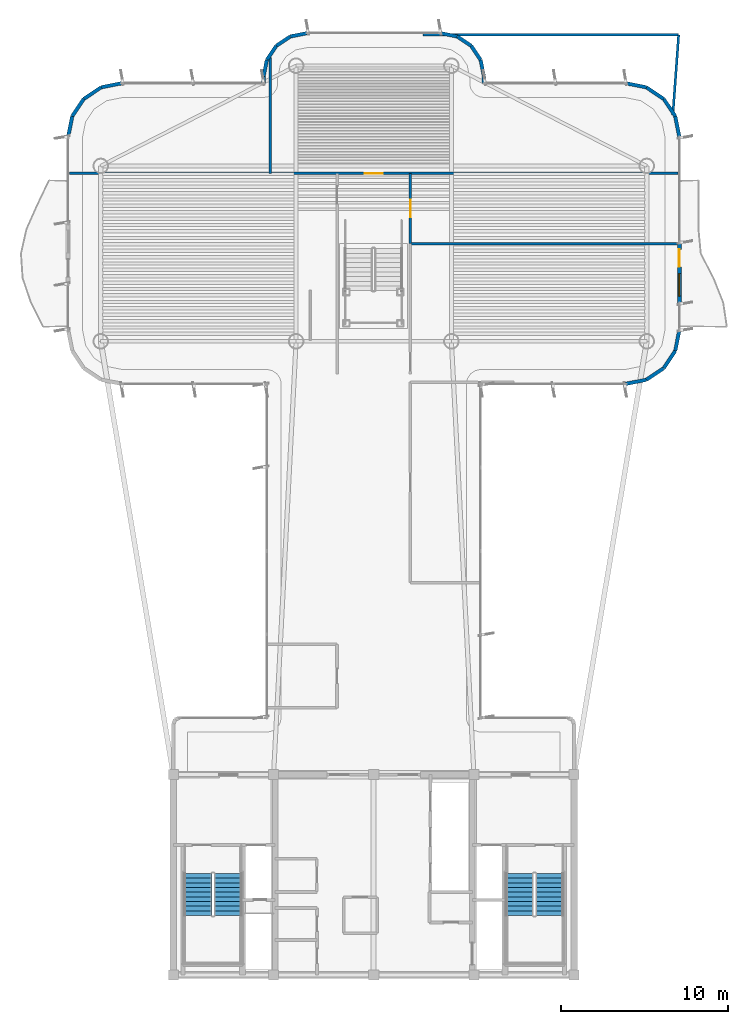
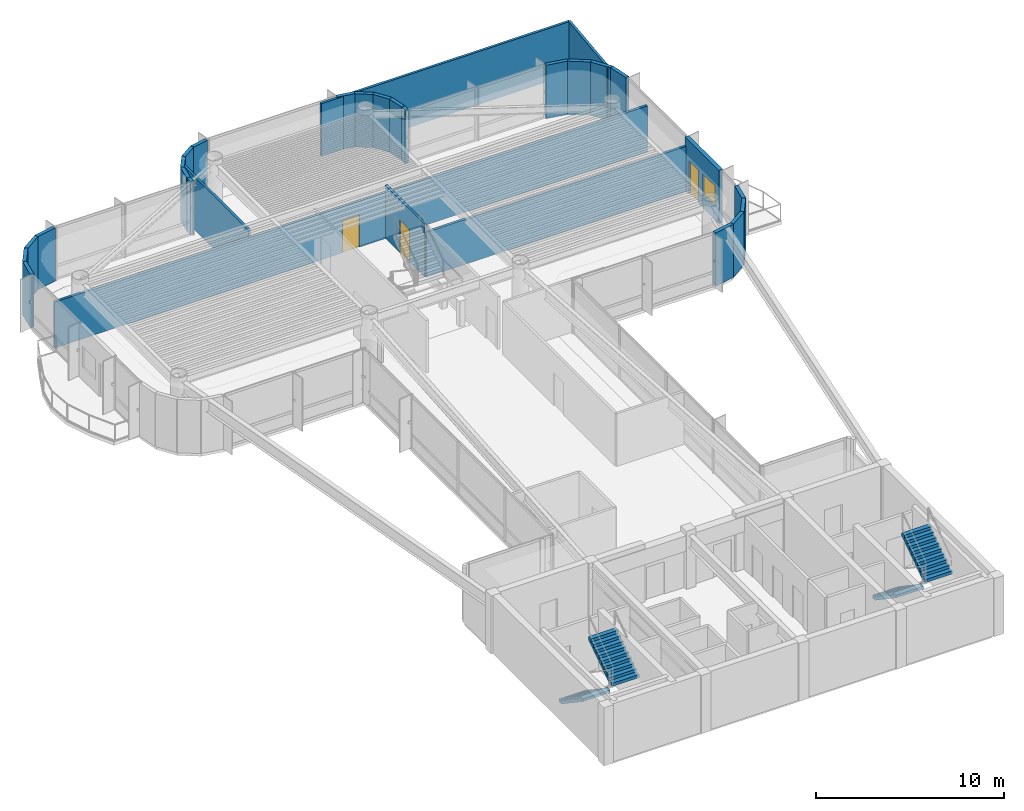
# One storey, part 12 of 17: 29 walls, 4 stair flights, 3 doors, 1 window, 4 openings, 2 elements without a shape of their own.
"""IFC4 building model written with IfcOpenShell, lengths in metres."""

from ifc_helpers import new_model, si_unit, direction, frame, frame_2d, origin, origin_2d, place, context, subcontext, project, spatial, polyline, rectangle, outline, extrude, source, transform, mapped, material, layer, layer_set, type_object, element, fill, aggregate, save


model = new_model("IFC4")

# Units and contexts
model_context = context("Model", 3, precision=1e-05, world=origin(), true_north=direction((0.0, 1.0)))
body_context = subcontext(model_context, "Body", "Model", "MODEL_VIEW")
ifc_project = project(units=[si_unit("LENGTHUNIT", "METRE"), si_unit("AREAUNIT", "SQUARE_METRE"), si_unit("VOLUMEUNIT", "CUBIC_METRE"), si_unit("PLANEANGLEUNIT", "RADIAN"), si_unit("MASSUNIT", "GRAM", prefix="KILO")], contexts=[model_context])

# Site, building, storey
site_placement = place(None, origin())
site = spatial("IfcSite", under=ifc_project, at=site_placement, CompositionType="ELEMENT")
building_placement = place(site_placement, origin())
building = spatial("IfcBuilding", under=site, at=building_placement, Name="Brelvock Crest Care Tower", CompositionType="ELEMENT")
storey_placement = place(building_placement, frame((0.0, 0.0, 287.280029296875)))
storey = spatial("IfcBuildingStorey", under=building, at=storey_placement, Name="L73", CompositionType="ELEMENT", Elevation=287.280029296875)

# Wall, openings, door, window
ifc_material_1 = material(Name="Precast concrete N40 (40 MPa)", Category="concrete")
ifc_layer_1 = layer(ifc_material_1, 0.239990234375, Name="WL-EX1")
ifc_layer_set_1 = layer_set([ifc_layer_1], Name="Precast concrete N40 (40 MPa)")
wall_type_1 = type_object("IfcWallType", Name="WL-EX1", PredefinedType="SOLIDWALL", material=ifc_layer_set_1)
wall_1_placement = place(storey_placement, frame((54.300048828125, 49.85009765625, 0.0), z_axis=(0.0, 0.0, 1.0), x_axis=(0.0, -1.0, 0.0)))
wall_1 = element("IfcWall", 1, at=wall_1_placement, inside=storey, type_object=wall_type_1, Name="L73 Exterior Spandrel Wall WL-BAL-L73-E", PredefinedType="SOLIDWALL", context=body_context, shape_type="SweptSolid", body=[
    extrude(rectangle(XDim=3.60009765625, YDim=0.239990234375, at=frame_2d((1.800048828125, 0.0))), origin(), (0.0, 0.0, 1.0), 3.4599609375),
])
opening_1_placement = place(wall_1_placement, frame((0.39990234375, 0.0, 0.0)))
opening_1 = element("IfcOpeningElement", 2, at=opening_1_placement, cuts=wall_1, Name="Opening BD-1", PredefinedType="OPENING", context=body_context, shape_type="SweptSolid", body=[
    extrude(rectangle(XDim=1.050048828125, YDim=2.14990234375, at=origin_2d()), frame((0.52490234375, 0.1298828125, 1.074951171875), z_axis=(0.0, -1.0, 0.0), x_axis=(1.0, 0.0, 0.0)), (0.0, 0.0, 1.0), 0.260009765625),
])
opening_2_placement = place(wall_1_placement, frame((1.85009765625, 0.0, 0.85009765625)))
opening_2 = element("IfcOpeningElement", 3, at=opening_2_placement, cuts=wall_1, Name="Opening W-01", PredefinedType="OPENING", context=body_context, shape_type="SweptSolid", body=[
    extrude(rectangle(XDim=1.35009765625, YDim=1.35009765625, at=origin_2d()), frame((0.675048828125, 0.1298828125, 0.675048828125), z_axis=(0.0, -1.0, 0.0), x_axis=(1.0, 0.0, 0.0)), (0.0, 0.0, 1.0), 0.260009765625),
])
ifc_material_2 = material(Name="Dark Glass Double Glazed Low-E", Category="glass")
door_type_1 = type_object("IfcDoorType", Name="DR-BAL1", OperationType="NOTDEFINED", PredefinedType="DOOR", material=ifc_material_2)
shared_shape_1 = source(origin(), body_context, "Body", "SweptSolid", [
    extrude(rectangle(XDim=1.050048828125, YDim=2.14990234375, at=origin_2d()), frame((0.52490234375, 0.02490234375, 1.074951171875), z_axis=(0.0, -1.0, 0.0), x_axis=(1.0, 0.0, 0.0)), (0.0, 0.0, 1.0), 0.050048828125),
])
door_1_placement = place(opening_1_placement, origin())
door_1 = element("IfcDoor", 4, at=door_1_placement, inside=storey, type_object=door_type_1, Name="L73 E Wave Balcony Glazed Door", OperationType="SINGLE_SWING_RIGHT", OverallHeight=2.14990234375, OverallWidth=1.050048828125, PredefinedType="DOOR", context=body_context, shape_type="MappedRepresentation", body=[
    mapped(shared_shape_1, transform((0.0, 0.0, 0.0), x_axis=(1.0, 0.0, 0.0), y_axis=(0.0, 1.0, 0.0), z_axis=(0.0, 0.0, 1.0), scale=1.0)),
])
fill(opening_1, door_1)
window_type = type_object("IfcWindowType", Name="WN-EX1", PartitioningType="SINGLE_PANEL", PredefinedType="WINDOW", material=ifc_material_2)
shared_shape_2 = source(origin(), body_context, "Body", "SweptSolid", [
    extrude(rectangle(XDim=1.35009765625, YDim=1.35009765625, at=origin_2d()), frame((0.675048828125, 0.030029296875, 0.675048828125), z_axis=(0.0, -1.0, 0.0), x_axis=(1.0, 0.0, 0.0)), (0.0, 0.0, 1.0), 0.06005859375),
])
window_placement = place(opening_2_placement, origin())
window = element("IfcWindow", 5, at=window_placement, inside=storey, type_object=window_type, Name="L73 E Suite Casement Window", OverallHeight=1.35009765625, OverallWidth=1.35009765625, PartitioningType="SINGLE_PANEL", PredefinedType="WINDOW", context=body_context, shape_type="MappedRepresentation", body=[
    mapped(shared_shape_2, transform((0.0, 0.0, 0.0), x_axis=(1.0, 0.0, 0.0), y_axis=(0.0, 1.0, 0.0), z_axis=(0.0, 0.0, 1.0), scale=1.0)),
])
fill(opening_2, window)

# Walls
ifc_layer_2 = layer(ifc_material_1, 0.215087890625, Name="WL-EX2")
ifc_layer_set_2 = layer_set([ifc_layer_2], Name="Precast concrete N40 (40 MPa)")
wall_type_2 = type_object("IfcWallType", Name="WL-EX2", PredefinedType="SOLIDWALL", material=ifc_layer_set_2)
for number, where, z_axis, x_axis, name in (
    (6, (17.699951171875, 56.199951171875, 0.0), (0.0, 0.0, 1.0), (0.195138390419, 0.980775717779, 0.0), "L73 Rounded Corner Wall 18"),
    (7, (17.943603515625, 57.424560546875, 0.0), (0.0, 0.0, 1.0), (0.555557312883, 0.831478245117, 0.0), "L73 Rounded Corner Wall 19"),
    (8, (18.63720703125, 58.462646484375, 0.0), (0.0, 0.0, 1.0), (0.831387912822, 0.555692485475, 0.0), "L73 Rounded Corner Wall 20"),
    (9, (19.67529296875, 59.156494140625, 0.0), (0.0, 0.0, 1.0), (0.980813122964, 0.194950295773, 0.0), "L73 Rounded Corner Wall 21"),
):
    element("IfcWall", number, at=place(storey_placement, frame(where, z_axis=z_axis, x_axis=x_axis)), inside=storey, type_object=wall_type_2, Name=name, PredefinedType="SOLIDWALL", context=body_context, shape_type="SweptSolid", body=[
        extrude(rectangle(XDim=1.24853515625, YDim=0.215087890625, at=frame_2d((0.624267578125, 0.0))), origin(), (0.0, 0.0, 1.0), 3.4599609375),
    ])
wall_2_placement = place(storey_placement, frame((29.39990234375, 59.39990234375, 0.0), z_axis=(0.0, 0.0, 1.0), x_axis=(0.0, 1.0, 0.0)))
element("IfcWall", 10, at=wall_2_placement, inside=storey, type_object=wall_type_2, Name="L73 Rounded Corner Wall 23", PredefinedType="SOLIDWALL", context=body_context, shape_type="SweptSolid", body=[
    extrude(rectangle(XDim=0.400146484375, YDim=0.215087890625, at=frame_2d((0.2001953125, 0.0))), origin(), (0.0, 0.0, 1.0), 3.4599609375),
])
wall_3_placement = place(storey_placement, frame((29.39990234375, 59.800048828125, 0.0), z_axis=(0.0, 0.0, 1.0), x_axis=(0.195190360752, 0.980765376158, 0.0)))
element("IfcWall", 11, at=wall_3_placement, inside=storey, type_object=wall_type_2, Name="L73 Rounded Corner Wall 24", PredefinedType="SOLIDWALL", context=body_context, shape_type="SweptSolid", body=[
    extrude(rectangle(XDim=1.014404296875, YDim=0.215087890625, at=frame_2d((0.50732421875, 0.0))), origin(), (0.0, 0.0, 1.0), 3.4599609375),
])
wall_4_placement = place(storey_placement, frame((29.597900390625, 60.794921875, 0.0), z_axis=(0.0, 0.0, 1.0), x_axis=(0.555643898837, 0.831420385657, 0.0)))
element("IfcWall", 12, at=wall_4_placement, inside=storey, type_object=wall_type_2, Name="L73 Rounded Corner Wall 25", PredefinedType="SOLIDWALL", context=body_context, shape_type="SweptSolid", body=[
    extrude(rectangle(XDim=1.0146484375, YDim=0.215087890625, at=frame_2d((0.50732421875, 0.0))), origin(), (0.0, 0.0, 1.0), 3.4599609375),
])
wall_5_placement = place(storey_placement, frame((30.16162109375, 61.638427734375, 0.0), z_axis=(0.0, 0.0, 1.0), x_axis=(0.831346067305, 0.555755086685, 0.0)))
element("IfcWall", 13, at=wall_5_placement, inside=storey, type_object=wall_type_2, Name="L73 Rounded Corner Wall 26", PredefinedType="SOLIDWALL", context=body_context, shape_type="SweptSolid", body=[
    extrude(rectangle(XDim=1.014404296875, YDim=0.215087890625, at=frame_2d((0.50732421875, 0.0))), origin(), (0.0, 0.0, 1.0), 3.4599609375),
])
for number, where, z_axis, x_axis, name in (
    (14, (31.0048828125, 62.2021484375, 0.0), (0.0, 0.0, 1.0), (0.980820570666, 0.194912821943, 0.0), "L73 Rounded Corner Wall 27"),
    (15, (40.0, 62.39990234375, 0.0), (0.0, 0.0, 1.0), (0.980820570666, -0.194912821943, 0.0), "L73 Rounded Corner Wall 29"),
):
    element("IfcWall", number, at=place(storey_placement, frame(where, z_axis=z_axis, x_axis=x_axis)), inside=storey, type_object=wall_type_2, Name=name, PredefinedType="SOLIDWALL", context=body_context, shape_type="SweptSolid", body=[
        extrude(rectangle(XDim=1.0146484375, YDim=0.215087890625, at=frame_2d((0.50732421875, 0.0))), origin(), (0.0, 0.0, 1.0), 3.4599609375),
    ])
wall_6_placement = place(storey_placement, frame((40.9951171875, 62.2021484375, 0.0), z_axis=(0.0, 0.0, 1.0), x_axis=(0.831346067305, -0.555755086685, 0.0)))
element("IfcWall", 16, at=wall_6_placement, inside=storey, type_object=wall_type_2, Name="L73 Rounded Corner Wall 30", PredefinedType="SOLIDWALL", context=body_context, shape_type="SweptSolid", body=[
    extrude(rectangle(XDim=1.014404296875, YDim=0.215087890625, at=frame_2d((0.50732421875, 0.0))), origin(), (0.0, 0.0, 1.0), 3.4599609375),
])
wall_7_placement = place(storey_placement, frame((41.83837890625, 61.638427734375, 0.0), z_axis=(0.0, 0.0, 1.0), x_axis=(0.555643898837, -0.831420385657, 0.0)))
element("IfcWall", 17, at=wall_7_placement, inside=storey, type_object=wall_type_2, Name="L73 Rounded Corner Wall 31", PredefinedType="SOLIDWALL", context=body_context, shape_type="SweptSolid", body=[
    extrude(rectangle(XDim=1.0146484375, YDim=0.215087890625, at=frame_2d((0.50732421875, 0.0))), origin(), (0.0, 0.0, 1.0), 3.4599609375),
])
wall_8_placement = place(storey_placement, frame((42.402099609375, 60.794921875, 0.0), z_axis=(0.0, 0.0, 1.0), x_axis=(0.195190360752, -0.980765376158, 0.0)))
element("IfcWall", 18, at=wall_8_placement, inside=storey, type_object=wall_type_2, Name="L73 Rounded Corner Wall 32", PredefinedType="SOLIDWALL", context=body_context, shape_type="SweptSolid", body=[
    extrude(rectangle(XDim=1.014404296875, YDim=0.215087890625, at=frame_2d((0.50732421875, 0.0))), origin(), (0.0, 0.0, 1.0), 3.4599609375),
])
wall_9_placement = place(storey_placement, frame((42.60009765625, 59.800048828125, 0.0), z_axis=(0.0, 0.0, 1.0), x_axis=(0.0, -1.0, 0.0)))
element("IfcWall", 19, at=wall_9_placement, inside=storey, type_object=wall_type_2, Name="L73 Rounded Corner Wall 33", PredefinedType="SOLIDWALL", context=body_context, shape_type="SweptSolid", body=[
    extrude(rectangle(XDim=0.400146484375, YDim=0.215087890625, at=frame_2d((0.2001953125, 0.0))), origin(), (0.0, 0.0, 1.0), 3.4599609375),
])
for number, where, z_axis, x_axis, name in (
    (20, (51.10009765625, 59.39990234375, 0.0), (0.0, 0.0, 1.0), (0.980813122964, -0.194950295773, 0.0), "L73 Rounded Corner Wall 35"),
    (21, (52.32470703125, 59.156494140625, 0.0), (0.0, 0.0, 1.0), (0.831387912822, -0.555692485475, 0.0), "L73 Rounded Corner Wall 36"),
    (22, (53.36279296875, 58.462646484375, 0.0), (0.0, 0.0, 1.0), (0.555557312883, -0.831478245117, 0.0), "L73 Rounded Corner Wall 37"),
    (23, (54.056396484375, 57.424560546875, 0.0), (0.0, 0.0, 1.0), (0.195138390419, -0.980775717779, 0.0), "L73 Rounded Corner Wall 38"),
    (24, (54.300048828125, 44.60009765625, 0.0), (0.0, 0.0, 1.0), (-0.195138390419, -0.980775717779, 0.0), "L73 Rounded Corner Wall 40"),
    (25, (54.056396484375, 43.37548828125, 0.0), (0.0, 0.0, 1.0), (-0.555557312883, -0.831478245117, 0.0), "L73 Rounded Corner Wall 41"),
    (26, (53.36279296875, 42.33740234375, 0.0), (0.0, 0.0, 1.0), (-0.831387912822, -0.555692485475, 0.0), "L73 Rounded Corner Wall 42"),
    (27, (52.32470703125, 41.6435546875, 0.0), (0.0, 0.0, 1.0), (-0.980775717779, -0.195138390419, 0.0), "L73 Rounded Corner Wall 43"),
):
    element("IfcWall", number, at=place(storey_placement, frame(where, z_axis=z_axis, x_axis=x_axis)), inside=storey, type_object=wall_type_2, Name=name, PredefinedType="SOLIDWALL", context=body_context, shape_type="SweptSolid", body=[
        extrude(rectangle(XDim=1.24853515625, YDim=0.215087890625, at=frame_2d((0.624267578125, 0.0))), origin(), (0.0, 0.0, 1.0), 3.4599609375),
    ])
ifc_material_3 = material(Name="Masonry Blockwork Acoustic Partition", Category="masonry")
ifc_layer_3 = layer(ifc_material_3, 0.14990234375, Name="WL-INT1")
ifc_layer_set_3 = layer_set([ifc_layer_3], Name="Masonry Blockwork Acoustic Partition")
wall_type_3 = type_object("IfcWallType", Name="WL-INT1", PredefinedType="PARTITIONING", material=ifc_layer_set_3)
wall_10_placement = place(storey_placement, frame((53.910888671875, 57.49853515625, 0.0), z_axis=(0.0, 0.0, 1.0), x_axis=(0.072519186203, 0.997367017518, 0.0)))
element("IfcWall", 28, at=wall_10_placement, inside=storey, type_object=wall_type_3, Name="L73 Interior Wall WL-BX-L73-VIP-E", PredefinedType="PARTITIONING", context=body_context, shape_type="SweptSolid", body=[
    extrude(rectangle(XDim=4.814208984375, YDim=0.14990234375, at=frame_2d((2.4072265625, 0.0))), origin(), (0.0, 0.0, 1.0), 3.429931640625),
])
wall_11_placement = place(storey_placement, frame((38.199951171875, 49.800048828125, 0.0), z_axis=(0.0, 0.0, 1.0), x_axis=(1.0, 0.0, 0.0)))
element("IfcWall", 29, at=wall_11_placement, inside=storey, type_object=wall_type_3, Name="L73 Interior Wall WL-BX-L73-DIN-N", PredefinedType="PARTITIONING", context=body_context, shape_type="SweptSolid", body=[
    extrude(rectangle(XDim=16.02001953125, YDim=0.14990234375, at=frame_2d((8.010009765625, 0.0))), origin(), (0.0, 0.0, 1.0), 2.911865234375),
])

# Wall, opening, door
wall_12_placement = place(storey_placement, frame((17.780029296875, 54.0, 0.0), z_axis=(0.0, 0.0, 1.0), x_axis=(1.0, 0.0, 0.0)))
wall_12 = element("IfcWall", 30, at=wall_12_placement, inside=storey, type_object=wall_type_3, Name="L73 Interior Wall WL-RM-L73-VIP", PredefinedType="PARTITIONING", context=body_context, shape_type="SweptSolid", body=[
    extrude(rectangle(XDim=36.43994140625, YDim=0.14990234375, at=frame_2d((18.219970703125, 0.0))), origin(), (0.0, 0.0, 1.0), 2.98486328125),
])
opening_3_placement = place(wall_12_placement, frame((17.695068359375, 0.0, 0.0)))
opening_3 = element("IfcOpeningElement", 31, at=opening_3_placement, cuts=wall_12, Name="Opening CLD-1", PredefinedType="OPENING", context=body_context, shape_type="SweptSolid", body=[
    extrude(rectangle(XDim=1.050048828125, YDim=2.10009765625, at=origin_2d()), frame((0.52490234375, 0.0849609375, 1.050048828125), z_axis=(0.0, -1.0, 0.0), x_axis=(1.0, 0.0, 0.0)), (0.0, 0.0, 1.0), 0.169921875),
])
ifc_material_4 = material(Name="Engineered Hardwood Timber", Category="wood")
door_type_2 = type_object("IfcDoorType", Name="DR-CLN1", OperationType="NOTDEFINED", PredefinedType="DOOR", material=ifc_material_4)
shared_shape_3 = source(origin(), body_context, "Body", "SweptSolid", [
    extrude(rectangle(XDim=1.050048828125, YDim=2.10009765625, at=origin_2d()), frame((0.52490234375, 0.02490234375, 1.050048828125), z_axis=(0.0, -1.0, 0.0), x_axis=(1.0, 0.0, 0.0)), (0.0, 0.0, 1.0), 0.050048828125),
])
door_2_placement = place(opening_3_placement, origin())
door_2 = element("IfcDoor", 32, at=door_2_placement, inside=storey, type_object=door_type_2, Name="L73 Resident Horizon Drawing Room Door VIP", OperationType="SINGLE_SWING_LEFT", OverallHeight=2.10009765625, OverallWidth=1.050048828125, PredefinedType="DOOR", context=body_context, shape_type="MappedRepresentation", body=[
    mapped(shared_shape_3, transform((0.0, 0.0, 0.0), x_axis=(1.0, 0.0, 0.0), y_axis=(0.0, 1.0, 0.0), z_axis=(0.0, 0.0, 1.0), scale=1.0)),
])
fill(opening_3, door_2)

# Walls
wall_13_placement = place(storey_placement, frame((38.96044921875, 62.300048828125, 0.0), z_axis=(0.0, 0.0, 1.0), x_axis=(1.0, 0.0, 0.0)))
element("IfcWall", 33, at=wall_13_placement, inside=storey, type_object=wall_type_3, Name="L73 Interior Wall WL-BX-L73-VIP-N2", PredefinedType="PARTITIONING", context=body_context, shape_type="SweptSolid", body=[
    extrude(rectangle(XDim=15.299560546875, YDim=0.14990234375, at=frame_2d((7.64990234375, 0.0))), origin(), (0.0, 0.0, 1.0), 3.429931640625),
])
wall_14_placement = place(storey_placement, frame((29.800048828125, 54.0, 0.0), z_axis=(0.0, 0.0, 1.0), x_axis=(0.0, 1.0, 0.0)))
element("IfcWall", 34, at=wall_14_placement, inside=storey, type_object=wall_type_3, Name="L73 Interior Wall WL-BX-L73-VIP-W", PredefinedType="PARTITIONING", context=body_context, shape_type="SweptSolid", body=[
    extrude(rectangle(XDim=6.95361328125, YDim=0.14990234375, at=frame_2d((3.476806640625, 0.0))), origin(), (0.0, 0.0, 1.0), 3.429931640625),
])

# Wall, opening, door
wall_15_placement = place(storey_placement, frame((38.199951171875, 49.800048828125, 0.0), z_axis=(0.0, 0.0, 1.0), x_axis=(0.0, 1.0, 0.0)))
wall_15 = element("IfcWall", 35, at=wall_15_placement, inside=storey, type_object=wall_type_3, Name="L73 Interior Wall WL-RM-L73-KIT", PredefinedType="PARTITIONING", context=body_context, shape_type="SweptSolid", body=[
    extrude(rectangle(XDim=4.199951171875, YDim=0.14990234375, at=frame_2d((2.10009765625, 0.0))), origin(), (0.0, 0.0, 1.0), 3.429931640625),
])
opening_4_placement = place(wall_15_placement, frame((1.574951171875, 0.0, 0.0)))
opening_4 = element("IfcOpeningElement", 36, at=opening_4_placement, cuts=wall_15, Name="Opening CLD-1", PredefinedType="OPENING", context=body_context, shape_type="SweptSolid", body=[
    extrude(rectangle(XDim=1.050048828125, YDim=2.10009765625, at=origin_2d()), frame((0.52490234375, 0.0849609375, 1.050048828125), z_axis=(0.0, -1.0, 0.0), x_axis=(1.0, 0.0, 0.0)), (0.0, 0.0, 1.0), 0.169921875),
])
door_3_placement = place(opening_4_placement, origin())
door_3 = element("IfcDoor", 37, at=door_3_placement, inside=storey, type_object=door_type_2, Name="L73 Sky Restaurant Kitchen Door KIT", OperationType="SINGLE_SWING_LEFT", OverallHeight=2.10009765625, OverallWidth=1.050048828125, PredefinedType="DOOR", context=body_context, shape_type="MappedRepresentation", body=[
    mapped(shared_shape_3, transform((0.0, 0.0, 0.0), x_axis=(1.0, 0.0, 0.0), y_axis=(0.0, 1.0, 0.0), z_axis=(0.0, 0.0, 1.0), scale=1.0)),
])
fill(opening_4, door_3)

# Stair, stair flights
ifc_material_5 = material(Name="Concrete N40 (40 MPa)", Category="concrete")
stair_type = type_object("IfcStairType", Name="ST-CORE1", PredefinedType="HALF_TURN_STAIR", material=ifc_material_5)
stair_1_placement = place(storey_placement, origin())
stair_1 = element("IfcStair", 38, at=stair_1_placement, inside=storey, type_object=stair_type, Name="L73 Fire-Isolated Core Stair ST-1", PredefinedType="HALF_TURN_STAIR")
stair_flight_type = type_object("IfcStairFlightType", Name="STF-1", PredefinedType="STRAIGHT", material=ifc_material_5)
stair_flight_1_placement = place(storey_placement, frame((25.469970703125, 12.080078125, 0.0), z_axis=(0.0, 0.0, 1.0), x_axis=(0.0, -1.0, 0.0)))
stair_flight_1 = element("IfcStairFlight", 39, at=stair_flight_1_placement, type_object=stair_flight_type, Name="ST-1 flight 1", NumberOfRisers=10, NumberOfTreads=9, PredefinedType="STRAIGHT", RiserHeight=0.189, TreadLength=0.28, context=body_context, shape_type="SweptSolid", body=[
    extrude(outline(polyline([(-0.00390625, -0.014892578125), (-0.00390625, -0.0078125), (-0.00390625, -0.00048828125), (-0.00390625, 0.0068359375), (-0.00390625, 0.01416015625), (-0.00390625, 0.021484375), (-0.00390625, 0.02880859375), (-0.00390625, 0.035888671875), (-0.00390625, 0.043212890625), (-0.00390625, 0.050537109375), (-0.00390625, 0.057861328125), (-0.00390625, 0.065185546875), (-0.00390625, 0.072509765625), (-0.00390625, 0.07958984375), (-0.00390625, 0.0869140625), (-0.00390625, 0.09423828125), (-0.00390625, 0.1015625), (-0.00390625, 0.10888671875), (-0.00390625, 0.1162109375), (-0.00390625, 0.12353515625), (-0.00390625, 0.130615234375), (-0.00390625, 0.137939453125), (-0.00390625, 0.145263671875), (-0.00390625, 0.152587890625), (-0.00390625, 0.159912109375), (-0.00390625, 0.167236328125), (-0.00390625, 0.17431640625), (-0.00390625, 0.181640625), (-0.00390625, 0.18896484375), (0.0, 0.18896484375), (0.280029296875, 0.18896484375), (0.280029296875, 0.3779296875), (0.56005859375, 0.3779296875), (0.56005859375, 0.56689453125), (0.840087890625, 0.56689453125), (0.840087890625, 0.756103515625), (1.1201171875, 0.756103515625), (1.1201171875, 0.945068359375), (1.39990234375, 0.945068359375), (1.39990234375, 1.134033203125), (1.679931640625, 1.134033203125), (1.679931640625, 1.322998046875), (1.9599609375, 1.322998046875), (1.9599609375, 1.511962890625), (2.239990234375, 1.511962890625), (2.239990234375, 1.700927734375), (2.52001953125, 1.700927734375), (2.52392578125, 1.700927734375), (2.523681640625, 1.70068359375), (2.52392578125, 1.700439453125), (2.523681640625, 1.699951171875), (2.52392578125, 1.69970703125), (2.523681640625, 1.699462890625), (2.52392578125, 1.698974609375), (2.523681640625, 1.69873046875), (2.52392578125, 1.698486328125), (2.523681640625, 1.697998046875), (2.52392578125, 1.69775390625), (2.523681640625, 1.697509765625), (2.52392578125, 1.697021484375), (2.523681640625, 1.69677734375), (2.52392578125, 1.696533203125), (2.523681640625, 1.6962890625), (2.52392578125, 1.69580078125), (2.523681640625, 1.695556640625), (2.52392578125, 1.6953125), (2.523681640625, 1.69482421875), (2.52392578125, 1.694580078125), (2.523681640625, 1.6943359375), (2.52392578125, 1.69384765625), (2.523681640625, 1.693603515625), (2.52392578125, 1.693359375), (2.523681640625, 1.69287109375), (2.52392578125, 1.692626953125), (2.523681640625, 1.6923828125), (2.52392578125, 1.69189453125), (2.52001953125, 1.520263671875), (0.267822265625, 0.0), (0.0, 0.0), (0.0, -0.014892578125), (-0.00390625, -0.014892578125)])), frame((0.0, 0.83984375, 0.0), z_axis=(0.0, -1.0, 0.0), x_axis=(1.0, 0.0, 0.0)), (0.0, 0.0, 1.0), 1.679931640625),
])
stair_flight_2_placement = place(storey_placement, frame((27.27001953125, 9.56005859375, 1.889892578125), z_axis=(0.0, 0.0, 1.0), x_axis=(0.0, 1.0, 0.0)))
stair_flight_2 = element("IfcStairFlight", 40, at=stair_flight_2_placement, type_object=stair_flight_type, Name="ST-1 flight 2", NumberOfRisers=10, NumberOfTreads=9, PredefinedType="STRAIGHT", RiserHeight=0.189, TreadLength=0.28, context=body_context, shape_type="SweptSolid", body=[
    extrude(outline(polyline([(-0.00390625, -0.014892578125), (-0.00390625, -0.0078125), (-0.00390625, -0.00048828125), (-0.00390625, 0.0068359375), (-0.00390625, 0.01416015625), (-0.00390625, 0.021484375), (-0.00390625, 0.02880859375), (-0.00390625, 0.035888671875), (-0.00390625, 0.043212890625), (-0.00390625, 0.050537109375), (-0.00390625, 0.057861328125), (-0.00390625, 0.065185546875), (-0.00390625, 0.072509765625), (-0.00390625, 0.07958984375), (-0.00390625, 0.0869140625), (-0.00390625, 0.09423828125), (-0.00390625, 0.1015625), (-0.00390625, 0.10888671875), (-0.00390625, 0.1162109375), (-0.00390625, 0.12353515625), (-0.00390625, 0.130615234375), (-0.00390625, 0.137939453125), (-0.00390625, 0.145263671875), (-0.00390625, 0.152587890625), (-0.00390625, 0.159912109375), (-0.00390625, 0.167236328125), (-0.00390625, 0.17431640625), (-0.00390625, 0.181640625), (-0.00390625, 0.18896484375), (0.0, 0.18896484375), (0.280029296875, 0.18896484375), (0.280029296875, 0.3779296875), (0.56005859375, 0.3779296875), (0.56005859375, 0.56689453125), (0.840087890625, 0.56689453125), (0.840087890625, 0.756103515625), (1.1201171875, 0.756103515625), (1.1201171875, 0.945068359375), (1.39990234375, 0.945068359375), (1.39990234375, 1.134033203125), (1.679931640625, 1.134033203125), (1.679931640625, 1.322998046875), (1.9599609375, 1.322998046875), (1.9599609375, 1.511962890625), (2.239990234375, 1.511962890625), (2.239990234375, 1.700927734375), (2.52001953125, 1.700927734375), (2.52392578125, 1.700927734375), (2.523681640625, 1.70068359375), (2.52392578125, 1.700439453125), (2.523681640625, 1.699951171875), (2.52392578125, 1.69970703125), (2.523681640625, 1.699462890625), (2.52392578125, 1.698974609375), (2.523681640625, 1.69873046875), (2.52392578125, 1.698486328125), (2.523681640625, 1.697998046875), (2.52392578125, 1.69775390625), (2.523681640625, 1.697509765625), (2.52392578125, 1.697021484375), (2.523681640625, 1.69677734375), (2.52392578125, 1.696533203125), (2.523681640625, 1.6962890625), (2.52392578125, 1.69580078125), (2.523681640625, 1.695556640625), (2.52392578125, 1.6953125), (2.523681640625, 1.69482421875), (2.52392578125, 1.694580078125), (2.523681640625, 1.6943359375), (2.52392578125, 1.69384765625), (2.523681640625, 1.693603515625), (2.52392578125, 1.693359375), (2.523681640625, 1.69287109375), (2.52392578125, 1.692626953125), (2.523681640625, 1.6923828125), (2.52392578125, 1.69189453125), (2.52001953125, 1.520263671875), (0.267822265625, 0.0), (0.0, 0.0), (0.0, -0.014892578125), (-0.00390625, -0.014892578125)])), frame((0.0, 0.83984375, 0.0), z_axis=(0.0, -1.0, 0.0), x_axis=(1.0, 0.0, 0.0)), (0.0, 0.0, 1.0), 1.679931640625),
])
aggregate(stair_1, [stair_flight_1, stair_flight_2])

stair_2_placement = place(storey_placement, origin())
stair_2 = element("IfcStair", 41, at=stair_2_placement, inside=storey, type_object=stair_type, Name="L73 Fire-Isolated Core Stair ST-2", PredefinedType="HALF_TURN_STAIR")
stair_flight_3_placement = place(storey_placement, frame((44.72998046875, 12.080078125, 0.0), z_axis=(0.0, 0.0, 1.0), x_axis=(0.0, -1.0, 0.0)))
stair_flight_3 = element("IfcStairFlight", 42, at=stair_flight_3_placement, type_object=stair_flight_type, Name="ST-2 flight 1", NumberOfRisers=10, NumberOfTreads=9, PredefinedType="STRAIGHT", RiserHeight=0.189, TreadLength=0.28, context=body_context, shape_type="SweptSolid", body=[
    extrude(outline(polyline([(-0.00390625, -0.014892578125), (-0.00390625, -0.0078125), (-0.00390625, -0.00048828125), (-0.00390625, 0.0068359375), (-0.00390625, 0.01416015625), (-0.00390625, 0.021484375), (-0.00390625, 0.02880859375), (-0.00390625, 0.035888671875), (-0.00390625, 0.043212890625), (-0.00390625, 0.050537109375), (-0.00390625, 0.057861328125), (-0.00390625, 0.065185546875), (-0.00390625, 0.072509765625), (-0.00390625, 0.07958984375), (-0.00390625, 0.0869140625), (-0.00390625, 0.09423828125), (-0.00390625, 0.1015625), (-0.00390625, 0.10888671875), (-0.00390625, 0.1162109375), (-0.00390625, 0.12353515625), (-0.00390625, 0.130615234375), (-0.00390625, 0.137939453125), (-0.00390625, 0.145263671875), (-0.00390625, 0.152587890625), (-0.00390625, 0.159912109375), (-0.00390625, 0.167236328125), (-0.00390625, 0.17431640625), (-0.00390625, 0.181640625), (-0.00390625, 0.18896484375), (0.0, 0.18896484375), (0.280029296875, 0.18896484375), (0.280029296875, 0.3779296875), (0.56005859375, 0.3779296875), (0.56005859375, 0.56689453125), (0.840087890625, 0.56689453125), (0.840087890625, 0.756103515625), (1.1201171875, 0.756103515625), (1.1201171875, 0.945068359375), (1.39990234375, 0.945068359375), (1.39990234375, 1.134033203125), (1.679931640625, 1.134033203125), (1.679931640625, 1.322998046875), (1.9599609375, 1.322998046875), (1.9599609375, 1.511962890625), (2.239990234375, 1.511962890625), (2.239990234375, 1.700927734375), (2.52001953125, 1.700927734375), (2.52392578125, 1.700927734375), (2.523681640625, 1.70068359375), (2.52392578125, 1.700439453125), (2.523681640625, 1.699951171875), (2.52392578125, 1.69970703125), (2.523681640625, 1.699462890625), (2.52392578125, 1.698974609375), (2.523681640625, 1.69873046875), (2.52392578125, 1.698486328125), (2.523681640625, 1.697998046875), (2.52392578125, 1.69775390625), (2.523681640625, 1.697509765625), (2.52392578125, 1.697021484375), (2.523681640625, 1.69677734375), (2.52392578125, 1.696533203125), (2.523681640625, 1.6962890625), (2.52392578125, 1.69580078125), (2.523681640625, 1.695556640625), (2.52392578125, 1.6953125), (2.523681640625, 1.69482421875), (2.52392578125, 1.694580078125), (2.523681640625, 1.6943359375), (2.52392578125, 1.69384765625), (2.523681640625, 1.693603515625), (2.52392578125, 1.693359375), (2.523681640625, 1.69287109375), (2.52392578125, 1.692626953125), (2.523681640625, 1.6923828125), (2.52392578125, 1.69189453125), (2.52001953125, 1.520263671875), (0.267822265625, 0.0), (0.0, 0.0), (0.0, -0.014892578125), (-0.00390625, -0.014892578125)])), frame((0.0, 0.83984375, 0.0), z_axis=(0.0, -1.0, 0.0), x_axis=(1.0, 0.0, 0.0)), (0.0, 0.0, 1.0), 1.679931640625),
])
stair_flight_4_placement = place(storey_placement, frame((46.530029296875, 9.56005859375, 1.889892578125), z_axis=(0.0, 0.0, 1.0), x_axis=(0.0, 1.0, 0.0)))
stair_flight_4 = element("IfcStairFlight", 43, at=stair_flight_4_placement, type_object=stair_flight_type, Name="ST-2 flight 2", NumberOfRisers=10, NumberOfTreads=9, PredefinedType="STRAIGHT", RiserHeight=0.189, TreadLength=0.28, context=body_context, shape_type="SweptSolid", body=[
    extrude(outline(polyline([(-0.00390625, -0.014892578125), (-0.00390625, -0.0078125), (-0.00390625, -0.00048828125), (-0.00390625, 0.0068359375), (-0.00390625, 0.01416015625), (-0.00390625, 0.021484375), (-0.00390625, 0.02880859375), (-0.00390625, 0.035888671875), (-0.00390625, 0.043212890625), (-0.00390625, 0.050537109375), (-0.00390625, 0.057861328125), (-0.00390625, 0.065185546875), (-0.00390625, 0.072509765625), (-0.00390625, 0.07958984375), (-0.00390625, 0.0869140625), (-0.00390625, 0.09423828125), (-0.00390625, 0.1015625), (-0.00390625, 0.10888671875), (-0.00390625, 0.1162109375), (-0.00390625, 0.12353515625), (-0.00390625, 0.130615234375), (-0.00390625, 0.137939453125), (-0.00390625, 0.145263671875), (-0.00390625, 0.152587890625), (-0.00390625, 0.159912109375), (-0.00390625, 0.167236328125), (-0.00390625, 0.17431640625), (-0.00390625, 0.181640625), (-0.00390625, 0.18896484375), (0.0, 0.18896484375), (0.280029296875, 0.18896484375), (0.280029296875, 0.3779296875), (0.56005859375, 0.3779296875), (0.56005859375, 0.56689453125), (0.840087890625, 0.56689453125), (0.840087890625, 0.756103515625), (1.1201171875, 0.756103515625), (1.1201171875, 0.945068359375), (1.39990234375, 0.945068359375), (1.39990234375, 1.134033203125), (1.679931640625, 1.134033203125), (1.679931640625, 1.322998046875), (1.9599609375, 1.322998046875), (1.9599609375, 1.511962890625), (2.239990234375, 1.511962890625), (2.239990234375, 1.700927734375), (2.52001953125, 1.700927734375), (2.52392578125, 1.700927734375), (2.523681640625, 1.70068359375), (2.52392578125, 1.700439453125), (2.523681640625, 1.699951171875), (2.52392578125, 1.69970703125), (2.523681640625, 1.699462890625), (2.52392578125, 1.698974609375), (2.523681640625, 1.69873046875), (2.52392578125, 1.698486328125), (2.523681640625, 1.697998046875), (2.52392578125, 1.69775390625), (2.523681640625, 1.697509765625), (2.52392578125, 1.697021484375), (2.523681640625, 1.69677734375), (2.52392578125, 1.696533203125), (2.523681640625, 1.6962890625), (2.52392578125, 1.69580078125), (2.523681640625, 1.695556640625), (2.52392578125, 1.6953125), (2.523681640625, 1.69482421875), (2.52392578125, 1.694580078125), (2.523681640625, 1.6943359375), (2.52392578125, 1.69384765625), (2.523681640625, 1.693603515625), (2.52392578125, 1.693359375), (2.523681640625, 1.69287109375), (2.52392578125, 1.692626953125), (2.523681640625, 1.6923828125), (2.52392578125, 1.69189453125), (2.52001953125, 1.520263671875), (0.267822265625, 0.0), (0.0, 0.0), (0.0, -0.014892578125), (-0.00390625, -0.014892578125)])), frame((0.0, 0.83984375, 0.0), z_axis=(0.0, -1.0, 0.0), x_axis=(1.0, 0.0, 0.0)), (0.0, 0.0, 1.0), 1.679931640625),
])
aggregate(stair_2, [stair_flight_3, stair_flight_4])

save(model, "model.ifc")
